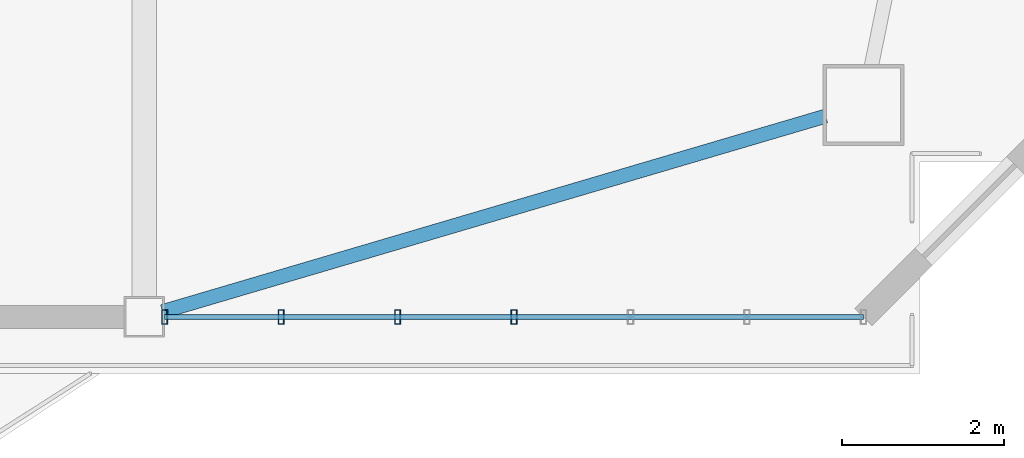
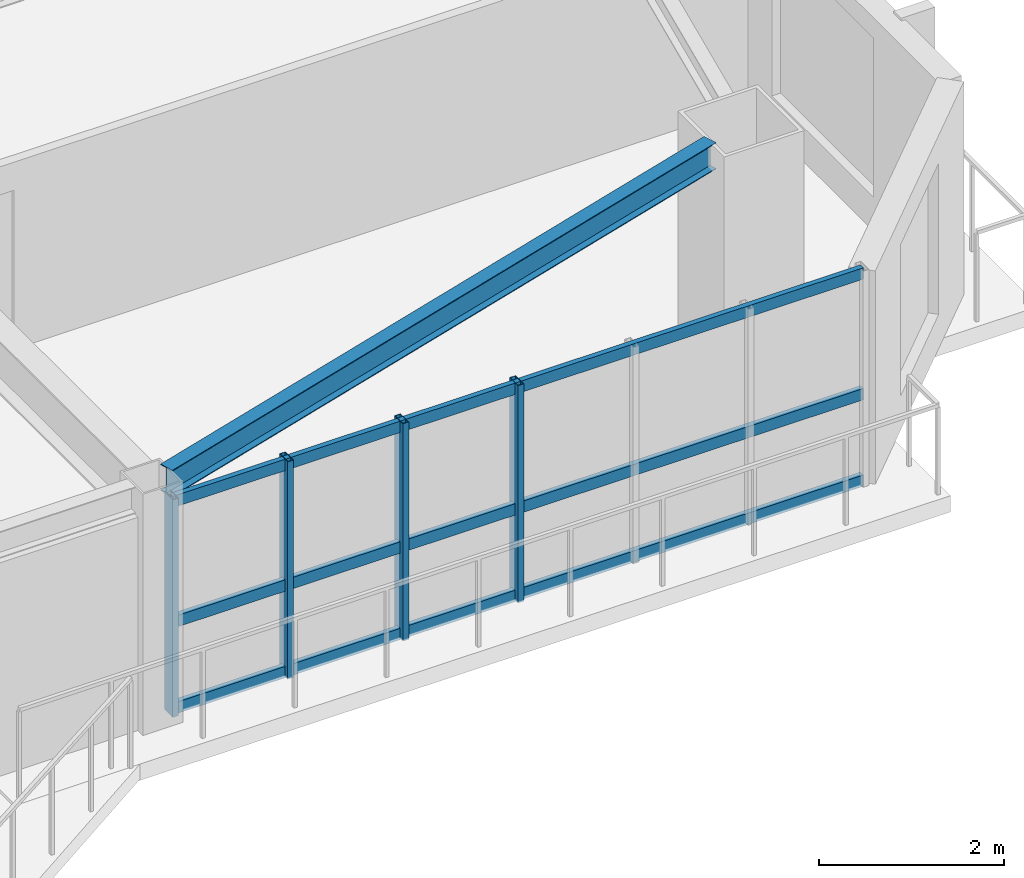
# One storey, part 4 of 17: 7 members, 1 beam, 1 element without a shape of its own.
"""IFC4 building model written with IfcOpenShell, lengths in metres."""

from ifc_helpers import new_model, si_unit, direction, frame, origin, origin_2d, place, context, subcontext, project, spatial, hollow_rectangle, i_section, extrude, source, transform, mapped, material, layer, layer_set, material_profile, profile_set, type_object, element, aggregate, save


model = new_model("IFC4")

# Units and contexts
model_context = context("Model", 3, precision=1e-05, world=origin(), true_north=direction((0.0, 1.0)))
body_context = subcontext(model_context, "Body", "Model", "MODEL_VIEW")
ifc_project = project(units=[si_unit("LENGTHUNIT", "METRE"), si_unit("AREAUNIT", "SQUARE_METRE"), si_unit("VOLUMEUNIT", "CUBIC_METRE"), si_unit("PLANEANGLEUNIT", "RADIAN"), si_unit("MASSUNIT", "GRAM", prefix="KILO")], contexts=[model_context])

# Site, building, storey
site_placement = place(None, origin())
site = spatial("IfcSite", under=ifc_project, at=site_placement, CompositionType="ELEMENT")
building_placement = place(site_placement, origin())
building = spatial("IfcBuilding", under=site, at=building_placement, Name="Giltprow Tower", CompositionType="ELEMENT")
storey_placement = place(building_placement, frame((0.0, 0.0, 251.89990234375)))
storey = spatial("IfcBuildingStorey", under=building, at=storey_placement, Name="L64", CompositionType="ELEMENT", Elevation=251.89990234375)

# Beam
ifc_material_1 = material(Name="Structural steel Q355B", Category="steel")
ifc_material_profile_1 = material_profile(ifc_material_1, i_section(OverallWidth=0.175048828125, OverallDepth=0.35009765625, WebThickness=0.007080078125, FlangeThickness=0.010986328125, at=origin_2d()), Name="HN 350x175x7x11")
ifc_profile_set_1 = profile_set([ifc_material_profile_1], Name="Structural steel Q355B")
beam_type = type_object("IfcBeamType", Name="BM-SPAN-HN350", PredefinedType="SPANDREL", material=ifc_profile_set_1)
shared_shape_1 = source(origin(), body_context, "Body", "SweptSolid", [
    extrude(i_section(OverallWidth=0.175048828125, OverallDepth=0.35009765625, WebThickness=0.007080078125, FlangeThickness=0.010986328125, at=origin_2d()), origin(), (0.0, 0.0, 1.0), 8.5302734375),
])
beam_placement = place(storey_placement, frame((50.77490234375, 15.178955078125, 3.010009765625), z_axis=(0.959187572442, 0.282770579929, 0.0), x_axis=(-0.282770579929, 0.959187572442, 0.0)))
element("IfcBeam", 1, at=beam_placement, inside=storey, type_object=beam_type, Name="L64 Perimeter Spandrel Beam S4-MC_SE", PredefinedType="SPANDREL", context=body_context, shape_type="MappedRepresentation", body=[
    mapped(shared_shape_1, transform((0.0, 0.0, 0.0), x_axis=(1.0, 0.0, 0.0), y_axis=(0.0, 1.0, 0.0), z_axis=(0.0, 0.0, 1.0), scale=1.0)),
])

# Curtain wall, members
ifc_material_2 = material(Name="Anodized bronze", Category="metal")
ifc_layer = layer(ifc_material_2, 0.179931640625, Name="Anodized bronze")
ifc_layer_set = layer_set([ifc_layer], Name="Anodized bronze")
curtain_wall_type = type_object("IfcCurtainWallType", Name="CW-RES-SKY", PredefinedType="NOTDEFINED", material=ifc_layer_set)
curtain_wall_placement = place(storey_placement, origin())
curtain_wall = element("IfcCurtainWall", 2, at=curtain_wall_placement, inside=storey, type_object=curtain_wall_type, Name="L64 South Recessed Curtain Wall 6", PredefinedType="NOTDEFINED")
ifc_material_profile_2 = material_profile(ifc_material_2, hollow_rectangle(XDim=0.074951171875, YDim=0.179931640625, WallThickness=0.008056640625, at=origin_2d()), Name="RHS 180x75x8")
ifc_profile_set_2 = profile_set([ifc_material_profile_2], Name="Anodized bronze")
member_type_1 = type_object("IfcMemberType", Name="CW-MULLION-180x75", PredefinedType="MULLION", material=ifc_profile_set_2)
shared_shape_2 = source(origin(), body_context, "Body", "SweptSolid", [
    extrude(hollow_rectangle(XDim=0.074951171875, YDim=0.179931640625, WallThickness=0.008056640625, at=origin_2d()), origin(), (0.0, 0.0, 1.0), 2.8701171875),
])
member_1_placement = place(storey_placement, frame((50.800048828125, 15.113037109375, -0.02001953125), z_axis=(0.0, 0.0, 1.0), x_axis=(1.0, 0.0, 0.0)))
member_1 = element("IfcMember", 3, at=member_1_placement, type_object=member_type_1, Name="L64 South Recessed Curtain Wall 6 Mullion 1", PredefinedType="MULLION", context=body_context, shape_type="MappedRepresentation", body=[
    mapped(shared_shape_2, transform((0.0, 0.0, 0.0), x_axis=(1.0, 0.0, 0.0), y_axis=(0.0, 1.0, 0.0), z_axis=(0.0, 0.0, 1.0), scale=1.0)),
])
member_2_placement = place(storey_placement, frame((52.237060546875, 15.113037109375, -0.02001953125), z_axis=(0.0, 0.0, 1.0), x_axis=(1.0, 0.0, 0.0)))
member_2 = element("IfcMember", 4, at=member_2_placement, type_object=member_type_1, Name="L64 South Recessed Curtain Wall 6 Mullion 2", PredefinedType="MULLION", context=body_context, shape_type="MappedRepresentation", body=[
    mapped(shared_shape_2, transform((0.0, 0.0, 0.0), x_axis=(1.0, 0.0, 0.0), y_axis=(0.0, 1.0, 0.0), z_axis=(0.0, 0.0, 1.0), scale=1.0)),
])
member_3_placement = place(storey_placement, frame((53.674072265625, 15.113037109375, -0.02001953125), z_axis=(0.0, 0.0, 1.0), x_axis=(1.0, 0.0, 0.0)))
member_3 = element("IfcMember", 5, at=member_3_placement, type_object=member_type_1, Name="L64 South Recessed Curtain Wall 6 Mullion 3", PredefinedType="MULLION", context=body_context, shape_type="MappedRepresentation", body=[
    mapped(shared_shape_2, transform((0.0, 0.0, 0.0), x_axis=(1.0, 0.0, 0.0), y_axis=(0.0, 1.0, 0.0), z_axis=(0.0, 0.0, 1.0), scale=1.0)),
])
member_4_placement = place(storey_placement, frame((55.111083984375, 15.113037109375, -0.02001953125), z_axis=(0.0, 0.0, 1.0), x_axis=(1.0, 0.0, 0.0)))
member_4 = element("IfcMember", 6, at=member_4_placement, type_object=member_type_1, Name="L64 South Recessed Curtain Wall 6 Mullion 4", PredefinedType="MULLION", context=body_context, shape_type="MappedRepresentation", body=[
    mapped(shared_shape_2, transform((0.0, 0.0, 0.0), x_axis=(1.0, 0.0, 0.0), y_axis=(0.0, 1.0, 0.0), z_axis=(0.0, 0.0, 1.0), scale=1.0)),
])
ifc_material_profile_3 = material_profile(ifc_material_2, hollow_rectangle(XDim=0.06494140625, YDim=0.14990234375, WallThickness=0.006103515625, at=origin_2d()), Name="RHS 150x65x6")
ifc_profile_set_3 = profile_set([ifc_material_profile_3], Name="Anodized bronze")
member_type_2 = type_object("IfcMemberType", Name="CW-TRANSOM-150x65", PredefinedType="USERDEFINED", material=ifc_profile_set_3)
shared_shape_3 = source(origin(), body_context, "Body", "SweptSolid", [
    extrude(hollow_rectangle(XDim=0.06494140625, YDim=0.14990234375, WallThickness=0.006103515625, at=origin_2d()), origin(), (0.0, 0.0, 1.0), 8.6220703125),
])
member_5_placement = place(storey_placement, frame((50.800048828125, 15.113037109375, 0.0400390625), z_axis=(1.0, 0.0, 0.0), x_axis=(0.0, 1.0, 0.0)))
member_5 = element("IfcMember", 7, at=member_5_placement, type_object=member_type_2, Name="L64 South Recessed Curtain Wall 6 Transom 1", ObjectType="TRANSOM", PredefinedType="USERDEFINED", context=body_context, shape_type="MappedRepresentation", body=[
    mapped(shared_shape_3, transform((0.0, 0.0, 0.0), x_axis=(1.0, 0.0, 0.0), y_axis=(0.0, 1.0, 0.0), z_axis=(0.0, 0.0, 1.0), scale=1.0)),
])
member_6_placement = place(storey_placement, frame((50.800048828125, 15.113037109375, 1.18212890625), z_axis=(1.0, 0.0, 0.0), x_axis=(0.0, 1.0, 0.0)))
member_6 = element("IfcMember", 8, at=member_6_placement, type_object=member_type_2, Name="L64 South Recessed Curtain Wall 6 Transom 2", ObjectType="TRANSOM", PredefinedType="USERDEFINED", context=body_context, shape_type="MappedRepresentation", body=[
    mapped(shared_shape_3, transform((0.0, 0.0, 0.0), x_axis=(1.0, 0.0, 0.0), y_axis=(0.0, 1.0, 0.0), z_axis=(0.0, 0.0, 1.0), scale=1.0)),
])
member_7_placement = place(storey_placement, frame((50.800048828125, 15.113037109375, 2.775146484375), z_axis=(1.0, 0.0, 0.0), x_axis=(0.0, 1.0, 0.0)))
member_7 = element("IfcMember", 9, at=member_7_placement, type_object=member_type_2, Name="L64 South Recessed Curtain Wall 6 Transom 3", ObjectType="TRANSOM", PredefinedType="USERDEFINED", context=body_context, shape_type="MappedRepresentation", body=[
    mapped(shared_shape_3, transform((0.0, 0.0, 0.0), x_axis=(1.0, 0.0, 0.0), y_axis=(0.0, 1.0, 0.0), z_axis=(0.0, 0.0, 1.0), scale=1.0)),
])
aggregate(curtain_wall, [member_1, member_2, member_3, member_4, member_5, member_6, member_7])

save(model, "model.ifc")
